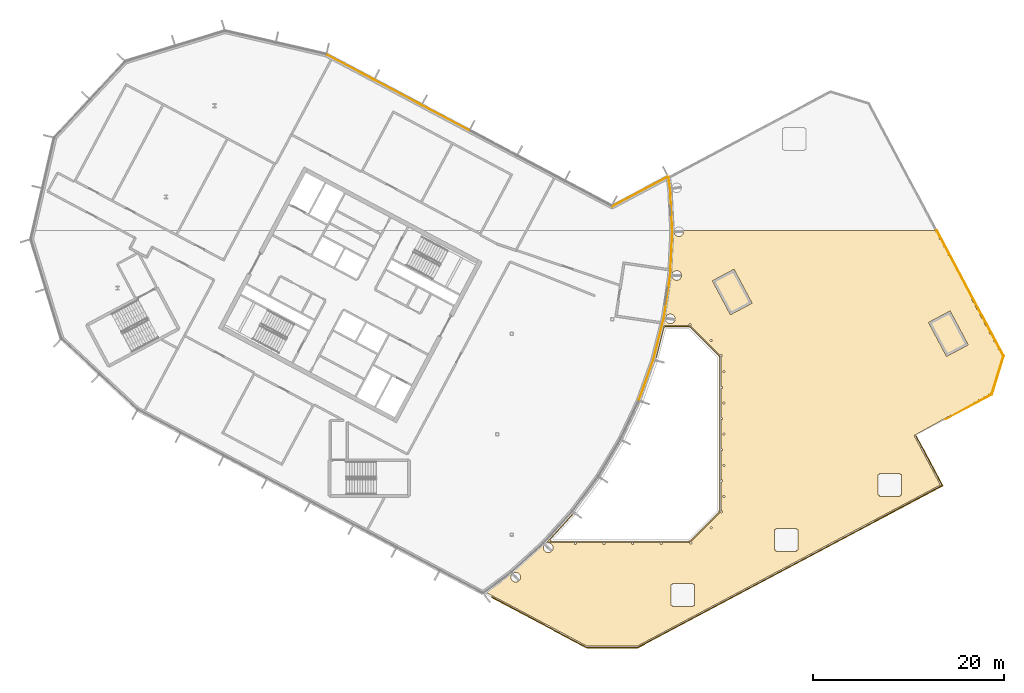
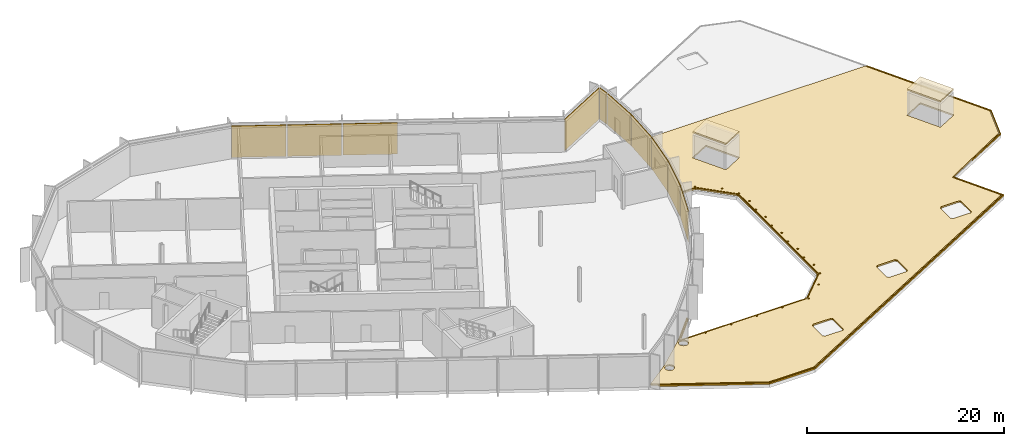
# One storey, part 15 of 16: 15 coverings, 8 elements without a shape of their own.
"""IFC4 building model written with IfcOpenShell, lengths in metres."""

from ifc_helpers import new_model, si_unit, direction, frame, origin, origin_2d, place, context, subcontext, project, spatial, polyline, rectangle, outline, extrude, material, layer, layer_set, type_object, element, aggregate, save


model = new_model("IFC4")

# Units and contexts
model_context = context("Model", 3, precision=1e-05, world=origin(), true_north=direction((0.0, 1.0)))
body_context = subcontext(model_context, "Body", "Model", "MODEL_VIEW")
ifc_project = project(units=[si_unit("LENGTHUNIT", "METRE"), si_unit("AREAUNIT", "SQUARE_METRE"), si_unit("VOLUMEUNIT", "CUBIC_METRE"), si_unit("PLANEANGLEUNIT", "RADIAN"), si_unit("MASSUNIT", "GRAM", prefix="KILO")], contexts=[model_context])

# Site, building, storey
site_placement = place(None, origin())
site = spatial("IfcSite", under=ifc_project, at=site_placement, CompositionType="ELEMENT")
building_placement = place(site_placement, origin())
building = spatial("IfcBuilding", under=site, at=building_placement, Name="Cormorant Relay Tower", CompositionType="ELEMENT")
storey_placement = place(building_placement, frame((0.0, 0.0, 328.199951171875)))
storey = spatial("IfcBuildingStorey", under=building, at=storey_placement, Name="C1", CompositionType="ELEMENT", Elevation=328.199951171875)

# Curtain wall, covering
ifc_material_1 = material(Name="Aluminium 6063-T6 anodised bronze", Category="aluminium")
ifc_layer_1 = layer(ifc_material_1, 0.199951171875)
ifc_layer_set_1 = layer_set([ifc_layer_1], Name="CW3 crown screen wall")
curtain_wall_type = type_object("IfcCurtainWallType", Name="CW3 crown screen wall", PredefinedType="NOTDEFINED", material=ifc_layer_set_1)
curtain_wall_1_placement = place(storey_placement, origin())
curtain_wall_1 = element("IfcCurtainWall", 1, at=curtain_wall_1_placement, inside=storey, type_object=curtain_wall_type, Name="CW3 curtain wall 8", PredefinedType="NOTDEFINED")
ifc_material_2 = material(Name="Perforated bronze anodised aluminium screen", Category="aluminium")
ifc_layer_2 = layer(ifc_material_2, 0.0400390625)
ifc_layer_set_2 = layer_set([ifc_layer_2], Name="CW3 perforated bronze screen panel 40")
covering_type_1 = type_object("IfcCoveringType", Name="CW3 perforated bronze screen panel 40", PredefinedType="CLADDING", material=ifc_layer_set_2)
covering_1_placement = place(storey_placement, frame((3.5576171875, 5.676513671875, 0.0), z_axis=(0.0, 0.0, 1.0), x_axis=(0.336889853392, 0.941544065183, 0.0)))
covering_1 = element("IfcCovering", 2, at=covering_1_placement, type_object=covering_type_1, Name="CW3 panel X00", PredefinedType="CLADDING", context=body_context, shape_type="SweptSolid", body=[
    extrude(rectangle(XDim=4.439208984375, YDim=0.0400390625, at=origin_2d()), origin(), (0.0, 0.0, 1.0), 3.89990234375),
])
aggregate(curtain_wall_1, [covering_1])

curtain_wall_2_placement = place(storey_placement, origin())
curtain_wall_2 = element("IfcCurtainWall", 3, at=curtain_wall_2_placement, inside=storey, type_object=curtain_wall_type, Name="CW3 curtain wall 9", PredefinedType="NOTDEFINED")
covering_2_placement = place(storey_placement, frame((4.863525390625, 9.994140625, 0.0), z_axis=(0.0, 0.0, 1.0), x_axis=(0.242980179903, 0.970031253195, 0.0)))
covering_2 = element("IfcCovering", 4, at=covering_2_placement, type_object=covering_type_1, Name="CW3 panel X00", PredefinedType="CLADDING", context=body_context, shape_type="SweptSolid", body=[
    extrude(rectangle(XDim=4.439208984375, YDim=0.0400390625, at=origin_2d()), origin(), (0.0, 0.0, 1.0), 3.89990234375),
])
aggregate(curtain_wall_2, [covering_2])

curtain_wall_3_placement = place(storey_placement, origin())
curtain_wall_3 = element("IfcCurtainWall", 5, at=curtain_wall_3_placement, inside=storey, type_object=curtain_wall_type, Name="CW3 curtain wall 10", PredefinedType="NOTDEFINED")
covering_3_placement = place(storey_placement, frame((5.739990234375, 14.4189453125, 0.0), z_axis=(0.0, 0.0, 1.0), x_axis=(0.146730474455, 0.989176509965, 0.0)))
covering_3 = element("IfcCovering", 6, at=covering_3_placement, type_object=covering_type_1, Name="CW3 panel X00", PredefinedType="CLADDING", context=body_context, shape_type="SweptSolid", body=[
    extrude(rectangle(XDim=4.439208984375, YDim=0.0400390625, at=origin_2d()), origin(), (0.0, 0.0, 1.0), 3.89990234375),
])
aggregate(curtain_wall_3, [covering_3])

curtain_wall_4_placement = place(storey_placement, origin())
curtain_wall_4 = element("IfcCurtainWall", 7, at=curtain_wall_4_placement, inside=storey, type_object=curtain_wall_type, Name="CW3 curtain wall 11", PredefinedType="NOTDEFINED")
covering_4_placement = place(storey_placement, frame((6.178466796875, 18.908203125, 0.0), z_axis=(0.0, 0.0, 1.0), x_axis=(0.049067674327, 0.998795456205, 0.0)))
covering_4 = element("IfcCovering", 8, at=covering_4_placement, type_object=covering_type_1, Name="CW3 panel X00", PredefinedType="CLADDING", context=body_context, shape_type="SweptSolid", body=[
    extrude(rectangle(XDim=4.439208984375, YDim=0.0400390625, at=origin_2d()), origin(), (0.0, 0.0, 1.0), 3.89990234375),
])
aggregate(curtain_wall_4, [covering_4])

curtain_wall_5_placement = place(storey_placement, origin())
curtain_wall_5 = element("IfcCurtainWall", 9, at=curtain_wall_5_placement, inside=storey, type_object=curtain_wall_type, Name="CW3 curtain wall 12", PredefinedType="NOTDEFINED")
covering_5_placement = place(storey_placement, frame((6.1748046875, 23.419189453125, 0.0), z_axis=(0.0, 0.0, 1.0), x_axis=(-0.049067674327, 0.998795456205, 0.0)))
covering_5 = element("IfcCovering", 10, at=covering_5_placement, type_object=covering_type_1, Name="CW3 panel X00", PredefinedType="CLADDING", context=body_context, shape_type="SweptSolid", body=[
    extrude(rectangle(XDim=4.439208984375, YDim=0.0400390625, at=origin_2d()), origin(), (0.0, 0.0, 1.0), 3.89990234375),
])
aggregate(curtain_wall_5, [covering_5])

curtain_wall_6_placement = place(storey_placement, origin())
curtain_wall_6 = element("IfcCurtainWall", 11, at=curtain_wall_6_placement, inside=storey, type_object=curtain_wall_type, Name="CW3 curtain wall 13", PredefinedType="NOTDEFINED")
covering_6_placement = place(storey_placement, frame((5.96630859375, 26.306884765625, 0.0), z_axis=(0.0, 0.0, 1.0), x_axis=(-0.146730474455, 0.989176509965, 0.0)))
covering_6 = element("IfcCovering", 12, at=covering_6_placement, type_object=covering_type_1, Name="CW3 panel X00", PredefinedType="CLADDING", context=body_context, shape_type="SweptSolid", body=[
    extrude(rectangle(XDim=1.20263671875, YDim=0.0400390625, at=origin_2d()), origin(), (0.0, 0.0, 1.0), 3.89990234375),
])
aggregate(curtain_wall_6, [covering_6])

curtain_wall_7_placement = place(storey_placement, origin())
curtain_wall_7 = element("IfcCurtainWall", 13, at=curtain_wall_7_placement, inside=storey, type_object=curtain_wall_type, Name="CW3 curtain wall 14", PredefinedType="NOTDEFINED")
covering_7_placement = place(storey_placement, frame((2.88671875, 25.341552734375, 0.0), z_axis=(0.0, 0.0, 1.0), x_axis=(-0.882947592859, -0.469471562786, 0.0)))
covering_7 = element("IfcCovering", 14, at=covering_7_placement, type_object=covering_type_1, Name="CW3 panel X00", PredefinedType="CLADDING", context=body_context, shape_type="SweptSolid", body=[
    extrude(rectangle(XDim=6.56005859375, YDim=0.0400390625, at=origin_2d()), origin(), (0.0, 0.0, 1.0), 3.89990234375),
])
aggregate(curtain_wall_7, [covering_7])

# Curtain wall, coverings
curtain_wall_8_placement = place(storey_placement, origin())
curtain_wall_8 = element("IfcCurtainWall", 15, at=curtain_wall_8_placement, inside=storey, type_object=curtain_wall_type, Name="CW3 curtain wall 15", PredefinedType="NOTDEFINED")
covering_8_placement = place(storey_placement, frame((-17.4169921875, 33.0673828125, 0.0), z_axis=(0.0, 0.0, 1.0), x_axis=(-0.882947592859, 0.469471562786, 0.0)))
covering_8 = element("IfcCovering", 16, at=covering_8_placement, type_object=covering_type_1, Name="CW3 panel X03", PredefinedType="CLADDING", context=body_context, shape_type="SweptSolid", body=[
    extrude(rectangle(XDim=5.489013671875, YDim=0.0400390625, at=origin_2d()), origin(), (0.0, 0.0, 1.0), 3.89990234375),
])
covering_9_placement = place(storey_placement, frame((-22.39599609375, 35.714599609375, 0.0), z_axis=(0.0, 0.0, 1.0), x_axis=(-0.882947592859, 0.469471562786, 0.0)))
covering_9 = element("IfcCovering", 17, at=covering_9_placement, type_object=covering_type_1, Name="CW3 panel X04", PredefinedType="CLADDING", context=body_context, shape_type="SweptSolid", body=[
    extrude(rectangle(XDim=5.489013671875, YDim=0.0400390625, at=origin_2d()), origin(), (0.0, 0.0, 1.0), 3.89990234375),
])
covering_10_placement = place(storey_placement, frame((-27.407958984375, 38.379638671875, 0.0), z_axis=(0.0, 0.0, 1.0), x_axis=(-0.882947592859, 0.469471562786, 0.0)))
covering_10 = element("IfcCovering", 18, at=covering_10_placement, type_object=covering_type_1, Name="CW3 panel X05", PredefinedType="CLADDING", context=body_context, shape_type="SweptSolid", body=[
    extrude(rectangle(XDim=5.56396484375, YDim=0.0400390625, at=origin_2d()), origin(), (0.0, 0.0, 1.0), 3.89990234375),
])
aggregate(curtain_wall_8, [covering_8, covering_9, covering_10])

# Coverings
ifc_material_3 = material(Name="Bituminous waterproof membrane on mineral wool insulation")
ifc_layer_3 = layer(ifc_material_3, 0.179931640625)
ifc_layer_set_3 = layer_set([ifc_layer_3], Name="Roof membrane and insulation 180")
covering_type_2 = type_object("IfcCoveringType", Name="Roof membrane and insulation 180", PredefinedType="ROOFING", material=ifc_layer_set_3)
covering_11_placement = place(storey_placement, frame((0.0, 0.0, 3.25)))
element("IfcCovering", 19, at=covering_11_placement, inside=storey, type_object=covering_type_2, Name="Roof membrane", PredefinedType="ROOFING", context=body_context, shape_type="SweptSolid", body=[
    extrude(outline(polyline([(14.610107421875, 13.685791015625), (12.3583984375, 12.48876953125), (10.480712890625, 16.0205078125), (12.732177734375, 17.2177734375), (14.610107421875, 13.685791015625)])), origin(), (0.0, 0.0, 1.0), 0.179931640625),
])
covering_12_placement = place(storey_placement, frame((0.0, 0.0, 3.25)))
element("IfcCovering", 20, at=covering_12_placement, inside=storey, type_object=covering_type_2, Name="Roof membrane", PredefinedType="ROOFING", context=body_context, shape_type="SweptSolid", body=[
    extrude(outline(polyline([(37.198486328125, 9.330810546875), (34.947021484375, 8.1337890625), (33.069091796875, 11.66552734375), (35.32080078125, 12.86279296875), (37.198486328125, 9.330810546875)])), origin(), (0.0, 0.0, 1.0), 0.179931640625),
])
covering_13_placement = place(storey_placement, origin())
element("IfcCovering", 21, at=covering_13_placement, inside=storey, type_object=covering_type_2, Name="Roof membrane", PredefinedType="ROOFING", context=body_context, shape_type="SweptSolid", body=[
    extrude(outline(polyline([(34.581298828125, -5.396728515625), (2.648681640625, -22.37548828125), (-2.648681640625, -22.37548828125), (-12.577392578125, -17.096435546875), (-12.60009765625, -16.982421875), (-2.639404296875, -22.27880859375), (-2.63427734375, -22.281005859375), (-2.628662109375, -22.283203125), (-2.623046875, -22.284423828125), (-2.6171875, -22.285400390625), (-2.611572265625, -22.28564453125), (2.611572265625, -22.28564453125), (2.6171875, -22.285400390625), (2.623046875, -22.284423828125), (2.628662109375, -22.283203125), (2.63427734375, -22.281005859375), (2.639404296875, -22.27880859375), (34.406982421875, -5.3876953125), (34.411865234375, -5.384765625), (34.41650390625, -5.381103515625), (34.4208984375, -5.377197265625), (34.4248046875, -5.372802734375), (34.428466796875, -5.3681640625), (34.431396484375, -5.363037109375), (34.43408203125, -5.35791015625), (34.43603515625, -5.352294921875), (34.4375, -5.346435546875), (34.438232421875, -5.3408203125), (34.438720703125, -5.334716796875), (34.438232421875, -5.328857421875), (34.4375, -5.322998046875), (34.43603515625, -5.3173828125), (34.43408203125, -5.31201171875), (34.431640625, -5.306640625), (31.712890625, -0.193359375), (31.79150390625, -0.14990234375), (34.581298828125, -5.396728515625)])), origin(), (0.0, 0.0, 1.0), 0.179931640625),
])
covering_14_placement = place(storey_placement, origin())
element("IfcCovering", 22, at=covering_14_placement, inside=storey, type_object=covering_type_2, Name="Roof membrane", PredefinedType="ROOFING", context=body_context, shape_type="SweptSolid", body=[
    extrude(outline(polyline([(33.977294921875, 21.300048828125), (40.95166015625, 8.18359375), (39.711181640625, 4.126220703125), (34.842529296875, 1.53759765625), (39.614990234375, 4.177001953125), (39.619873046875, 4.179931640625), (39.62451171875, 4.18359375), (39.628662109375, 4.1875), (39.632568359375, 4.191650390625), (39.635986328125, 4.1962890625), (39.638916015625, 4.201416015625), (39.641357421875, 4.20654296875), (39.643310546875, 4.211669921875), (40.847412109375, 8.150634765625), (40.848876953125, 8.156005859375), (40.849609375, 8.161865234375), (40.85009765625, 8.167724609375), (40.849609375, 8.173583984375), (40.848876953125, 8.179443359375), (40.847412109375, 8.185302734375), (40.845458984375, 8.190673828125), (40.843017578125, 8.19580078125), (33.87548828125, 21.300048828125), (33.977294921875, 21.300048828125)])), origin(), (0.0, 0.0, 1.0), 0.179931640625),
])
covering_15_placement = place(storey_placement, origin())
element("IfcCovering", 23, at=covering_15_placement, inside=storey, type_object=covering_type_2, Name="Roof membrane", PredefinedType="ROOFING", context=body_context, shape_type="SweptSolid", body=[
    extrude(outline(polyline([(33.739501953125, 21.300048828125), (40.725341796875, 8.16162109375), (39.53564453125, 4.270263671875), (31.602783203125, -0.116943359375), (31.59814453125, -0.119873046875), (31.593505859375, -0.12353515625), (31.58935546875, -0.12744140625), (31.58544921875, -0.1318359375), (31.58203125, -0.136474609375), (31.5791015625, -0.1416015625), (31.57666015625, -0.146728515625), (31.57470703125, -0.15234375), (31.5732421875, -0.157958984375), (31.572509765625, -0.163818359375), (31.572265625, -0.169677734375), (31.572509765625, -0.17529296875), (31.573486328125, -0.18115234375), (31.57470703125, -0.186767578125), (31.57666015625, -0.1923828125), (31.5791015625, -0.197509765625), (34.297607421875, -5.309814453125), (2.596435546875, -22.16552734375), (-2.596435546875, -22.16552734375), (-13.085205078125, -16.588623046875), (-13.187744140625, -16.450439453125), (-10.5126953125, -14.466552734375), (-10.54248046875, -14.42626953125), (-10.501708984375, -14.389404296875), (-10.46875, -14.425537109375), (-7.164794921875, -11.430908203125), (-7.1982421875, -11.39404296875), (-7.161376953125, -11.353271484375), (-7.125, -11.385986328125), (-4.20361328125, -8.162841796875), (-4.200927734375, -8.166748046875), (-4.165283203125, -8.190673828125), (-4.123046875, -8.19921875), (-4.0966796875, -8.19384765625), (-6.8681640625, -11.251708984375), (-6.82470703125, -11.291015625), (-6.82470703125, -11.333740234375), (-6.844482421875, -11.329833984375), (-6.88671875, -11.338134765625), (-6.92236328125, -11.362060546875), (-6.9462890625, -11.397705078125), (-6.95458984375, -11.43994140625), (-6.953369140625, -11.447021484375), (-7.0478515625, -11.510009765625), (-7.158447265625, -11.675537109375), (-7.197265625, -11.870849609375), (-7.158447265625, -12.06591796875), (-7.0478515625, -12.231689453125), (-6.88232421875, -12.34228515625), (-6.68701171875, -12.381103515625), (-6.491943359375, -12.34228515625), (-6.326416015625, -12.231689453125), (-6.2158203125, -12.06591796875), (-6.177001953125, -11.870849609375), (-6.2158203125, -11.675537109375), (-6.326416015625, -11.510009765625), (-6.491943359375, -11.3994140625), (-6.68701171875, -11.360595703125), (-6.758056640625, -11.374755859375), (-6.7666015625, -11.362060546875), (-6.78466796875, -11.35009765625), (-3.91064453125, -11.35009765625), (-3.9287109375, -11.362060546875), (-3.95263671875, -11.397705078125), (-3.9609375, -11.43994140625), (-3.95263671875, -11.482177734375), (-3.9287109375, -11.517822265625), (-3.89306640625, -11.541748046875), (-3.850830078125, -11.55029296875), (-3.80859375, -11.541748046875), (-3.77294921875, -11.517822265625), (-3.7490234375, -11.482177734375), (-3.740478515625, -11.43994140625), (-3.7490234375, -11.397705078125), (-3.77294921875, -11.362060546875), (-3.791015625, -11.35009765625), (-0.916748046875, -11.35009765625), (-0.934814453125, -11.362060546875), (-0.958740234375, -11.397705078125), (-0.96728515625, -11.43994140625), (-0.958740234375, -11.482177734375), (-0.934814453125, -11.517822265625), (-0.899169921875, -11.541748046875), (-0.85693359375, -11.55029296875), (-0.814697265625, -11.541748046875), (-0.779052734375, -11.517822265625), (-0.755126953125, -11.482177734375), (-0.746826171875, -11.43994140625), (-0.755126953125, -11.397705078125), (-0.779052734375, -11.362060546875), (-0.797119140625, -11.35009765625), (2.076904296875, -11.35009765625), (2.058837890625, -11.362060546875), (2.034912109375, -11.397705078125), (2.026611328125, -11.43994140625), (2.034912109375, -11.482177734375), (2.058837890625, -11.517822265625), (2.094482421875, -11.541748046875), (2.13671875, -11.55029296875), (2.178955078125, -11.541748046875), (2.214599609375, -11.517822265625), (2.238525390625, -11.482177734375), (2.246826171875, -11.43994140625), (2.238525390625, -11.397705078125), (2.214599609375, -11.362060546875), (2.196533203125, -11.35009765625), (5.07080078125, -11.35009765625), (5.052490234375, -11.362060546875), (5.02880859375, -11.397705078125), (5.020263671875, -11.43994140625), (5.02880859375, -11.482177734375), (5.052490234375, -11.517822265625), (5.08837890625, -11.541748046875), (5.130615234375, -11.55029296875), (5.172607421875, -11.541748046875), (5.20849609375, -11.517822265625), (5.232421875, -11.482177734375), (5.24072265625, -11.43994140625), (5.232421875, -11.397705078125), (5.20849609375, -11.362060546875), (5.190185546875, -11.35009765625), (8.104248046875, -11.35009765625), (8.104248046875, -11.2900390625), (5.150390625, -11.2900390625), (5.150390625, -11.333740234375), (5.130615234375, -11.329833984375), (5.110595703125, -11.333740234375), (5.110595703125, -11.2900390625), (2.15673828125, -11.2900390625), (2.15673828125, -11.333740234375), (2.13671875, -11.329833984375), (2.11669921875, -11.333740234375), (2.11669921875, -11.2900390625), (-0.8369140625, -11.2900390625), (-0.8369140625, -11.333740234375), (-0.85693359375, -11.329833984375), (-0.876953125, -11.333740234375), (-0.876953125, -11.2900390625), (-3.830810546875, -11.2900390625), (-3.830810546875, -11.333740234375), (-3.850830078125, -11.329833984375), (-3.870849609375, -11.333740234375), (-3.870849609375, -11.2900390625), (-6.822021484375, -11.2900390625), (-4.059326171875, -8.24169921875), (-4.083251953125, -8.277587890625), (-4.111083984375, -8.418212890625), (-6.481689453125, -11.033447265625), (-6.4033203125, -11.1044921875), (-6.4033203125, -11.2099609375), (8.051513671875, -11.2099609375), (8.051513671875, -11.1240234375), (8.112060546875, -11.184814453125), (11.184814453125, -8.112060546875), (11.1240234375, -8.051513671875), (11.2099609375, -8.051513671875), (11.2099609375, 8.051513671875), (11.1240234375, 8.051513671875), (11.184814453125, 8.112060546875), (8.112060546875, 11.184814453125), (8.051513671875, 11.1240234375), (8.051513671875, 11.2099609375), (5.522216796875, 11.2099609375), (5.522216796875, 11.11279296875), (5.427978515625, 11.136474609375), (4.63916015625, 7.98681640625), (4.604736328125, 7.9638671875), (4.518310546875, 7.83447265625), (5.381103515625, 11.2783203125), (5.340087890625, 11.28857421875), (5.34228515625, 11.291748046875), (5.3505859375, 11.333984375), (5.34228515625, 11.376220703125), (5.318359375, 11.411865234375), (5.28271484375, 11.435791015625), (5.2568359375, 11.44091796875), (5.434326171875, 12.149658203125), (5.385986328125, 12.16162109375), (5.39404296875, 12.21630859375), (5.4423828125, 12.208984375), (6.0966796875, 16.6201171875), (6.04736328125, 16.627197265625), (6.050048828125, 16.682373046875), (6.09912109375, 16.679931640625), (6.31787109375, 21.1337890625), (6.267822265625, 21.13623046875), (6.26513671875, 21.19140625), (6.314208984375, 21.193603515625), (6.308837890625, 21.300048828125), (6.48388671875, 21.300048828125), (6.456298828125, 21.16064453125), (6.4951171875, 20.96533203125), (6.605712890625, 20.7998046875), (6.771240234375, 20.689208984375), (6.966552734375, 20.650390625), (7.16162109375, 20.689208984375), (7.327392578125, 20.7998046875), (7.43798828125, 20.96533203125), (7.476806640625, 21.16064453125), (7.448974609375, 21.300048828125), (33.739501953125, 21.300048828125)]), holes=[polyline([(33.182373046875, 11.431396484375), (33.182373046875, 11.431396484375), (34.82568359375, 8.3408203125), (34.82568359375, 8.3408203125), (34.94287109375, 8.1201171875), (37.212158203125, 9.326904296875), (37.08544921875, 9.565185546875), (37.08544921875, 9.565185546875), (35.45166015625, 12.6376953125), (35.45166015625, 12.6376953125), (35.32470703125, 12.876220703125), (33.0556640625, 11.669677734375), (33.182373046875, 11.431396484375)]), polyline([(30.096923828125, -6.510009765625), (30.096923828125, -6.385009765625), (30.221923828125, -6.385009765625), (30.221923828125, -4.215087890625), (30.096923828125, -4.215087890625), (30.096923828125, -4.090087890625), (27.927001953125, -4.090087890625), (27.927001953125, -4.215087890625), (27.802001953125, -4.215087890625), (27.802001953125, -6.385009765625), (27.927001953125, -6.385009765625), (27.927001953125, -6.510009765625), (30.096923828125, -6.510009765625)]), polyline([(16.9873046875, -12.13525390625), (17.1123046875, -12.13525390625), (17.1123046875, -12.26025390625), (19.282470703125, -12.26025390625), (19.282470703125, -12.13525390625), (19.407470703125, -12.13525390625), (19.407470703125, -9.96533203125), (19.282470703125, -9.96533203125), (19.282470703125, -9.84033203125), (17.1123046875, -9.84033203125), (17.1123046875, -9.96533203125), (16.9873046875, -9.96533203125), (16.9873046875, -12.13525390625)]), polyline([(10.58447265625, 15.803955078125), (12.237060546875, 12.696044921875), (12.237060546875, 12.696044921875), (12.354248046875, 12.475341796875), (14.62353515625, 13.681884765625), (14.50146484375, 13.911376953125), (12.863037109375, 16.992919921875), (12.863037109375, 16.992919921875), (12.736083984375, 17.231201171875), (10.467041015625, 16.024658203125), (10.58447265625, 15.803955078125), (10.58447265625, 15.803955078125)]), polyline([(11.627685546875, -6.62744140625), (11.669921875, -6.635986328125), (11.712158203125, -6.62744140625), (11.747802734375, -6.603515625), (11.771728515625, -6.56787109375), (11.7802734375, -6.525634765625), (11.771728515625, -6.4833984375), (11.747802734375, -6.44775390625), (11.712158203125, -6.423828125), (11.669921875, -6.41552734375), (11.627685546875, -6.423828125), (11.592041015625, -6.44775390625), (11.568115234375, -6.4833984375), (11.559814453125, -6.525634765625), (11.568115234375, -6.56787109375), (11.592041015625, -6.603515625), (11.627685546875, -6.62744140625)]), polyline([(11.592041015625, 6.44775390625), (11.627685546875, 6.423828125), (11.669921875, 6.41552734375), (11.712158203125, 6.423828125), (11.747802734375, 6.44775390625), (11.771728515625, 6.4833984375), (11.7802734375, 6.525634765625), (11.771728515625, 6.56787109375), (11.747802734375, 6.603515625), (11.712158203125, 6.62744140625), (11.669921875, 6.635986328125), (11.627685546875, 6.62744140625), (11.592041015625, 6.603515625), (11.568115234375, 6.56787109375), (11.559814453125, 6.525634765625), (11.568115234375, 6.4833984375), (11.592041015625, 6.44775390625)]), polyline([(11.627685546875, -3.36474609375), (11.669921875, -3.373046875), (11.712158203125, -3.36474609375), (11.747802734375, -3.3408203125), (11.771728515625, -3.30517578125), (11.7802734375, -3.262939453125), (11.771728515625, -3.220703125), (11.747802734375, -3.18505859375), (11.712158203125, -3.1611328125), (11.669921875, -3.152587890625), (11.627685546875, -3.1611328125), (11.592041015625, -3.18505859375), (11.568115234375, -3.220703125), (11.559814453125, -3.262939453125), (11.568115234375, -3.30517578125), (11.592041015625, -3.3408203125), (11.627685546875, -3.36474609375)]), polyline([(11.592041015625, 3.18505859375), (11.627685546875, 3.1611328125), (11.669921875, 3.152587890625), (11.712158203125, 3.1611328125), (11.747802734375, 3.18505859375), (11.771728515625, 3.220703125), (11.7802734375, 3.262939453125), (11.771728515625, 3.30517578125), (11.747802734375, 3.3408203125), (11.712158203125, 3.36474609375), (11.669921875, 3.373046875), (11.627685546875, 3.36474609375), (11.592041015625, 3.3408203125), (11.568115234375, 3.30517578125), (11.559814453125, 3.262939453125), (11.568115234375, 3.220703125), (11.592041015625, 3.18505859375)]), polyline([(11.592041015625, -0.077880859375), (11.627685546875, -0.101806640625), (11.669921875, -0.110107421875), (11.712158203125, -0.101806640625), (11.747802734375, -0.077880859375), (11.771728515625, -0.042236328125), (11.7802734375, 0.0), (11.771728515625, 0.042236328125), (11.747802734375, 0.077880859375), (11.712158203125, 0.101806640625), (11.669921875, 0.110107421875), (11.627685546875, 0.101806640625), (11.592041015625, 0.077880859375), (11.568115234375, 0.042236328125), (11.559814453125, 0.0), (11.568115234375, -0.042236328125), (11.592041015625, -0.077880859375)]), polyline([(11.2900390625, -4.8544921875), (11.333740234375, -4.8544921875), (11.329833984375, -4.87451171875), (11.333740234375, -4.89453125), (11.2900390625, -4.89453125), (11.2900390625, -8.104248046875), (11.333740234375, -8.104248046875), (11.329833984375, -8.124267578125), (11.338134765625, -8.16650390625), (11.362060546875, -8.2021484375), (11.397705078125, -8.22607421875), (11.43994140625, -8.234619140625), (11.482177734375, -8.22607421875), (11.517822265625, -8.2021484375), (11.541748046875, -8.16650390625), (11.55029296875, -8.124267578125), (11.541748046875, -8.08203125), (11.517822265625, -8.04638671875), (11.482177734375, -8.0224609375), (11.43994140625, -8.01416015625), (11.397705078125, -8.0224609375), (11.362060546875, -8.04638671875), (11.35009765625, -8.064453125), (11.35009765625, -4.934326171875), (11.362060546875, -4.952392578125), (11.397705078125, -4.976318359375), (11.43994140625, -4.98486328125), (11.482177734375, -4.976318359375), (11.517822265625, -4.952392578125), (11.541748046875, -4.916748046875), (11.55029296875, -4.87451171875), (11.541748046875, -4.83251953125), (11.517822265625, -4.796630859375), (11.482177734375, -4.772705078125), (11.43994140625, -4.764404296875), (11.397705078125, -4.772705078125), (11.362060546875, -4.796630859375), (11.35009765625, -4.814697265625), (11.35009765625, -1.684814453125), (11.362060546875, -1.702880859375), (11.397705078125, -1.726806640625), (11.43994140625, -1.735107421875), (11.482177734375, -1.726806640625), (11.517822265625, -1.702880859375), (11.541748046875, -1.6669921875), (11.55029296875, -1.625), (11.541748046875, -1.582763671875), (11.517822265625, -1.547119140625), (11.482177734375, -1.523193359375), (11.43994140625, -1.5146484375), (11.397705078125, -1.523193359375), (11.362060546875, -1.547119140625), (11.35009765625, -1.565185546875), (11.35009765625, 1.565185546875), (11.362060546875, 1.547119140625), (11.397705078125, 1.523193359375), (11.43994140625, 1.5146484375), (11.482177734375, 1.523193359375), (11.517822265625, 1.547119140625), (11.541748046875, 1.582763671875), (11.55029296875, 1.625), (11.541748046875, 1.6669921875), (11.517822265625, 1.702880859375), (11.482177734375, 1.726806640625), (11.43994140625, 1.735107421875), (11.397705078125, 1.726806640625), (11.362060546875, 1.702880859375), (11.35009765625, 1.684814453125), (11.35009765625, 4.814697265625), (11.362060546875, 4.796630859375), (11.397705078125, 4.772705078125), (11.43994140625, 4.764404296875), (11.482177734375, 4.772705078125), (11.517822265625, 4.796630859375), (11.541748046875, 4.83251953125), (11.55029296875, 4.87451171875), (11.541748046875, 4.916748046875), (11.517822265625, 4.952392578125), (11.482177734375, 4.976318359375), (11.43994140625, 4.98486328125), (11.397705078125, 4.976318359375), (11.362060546875, 4.952392578125), (11.35009765625, 4.934326171875), (11.35009765625, 8.104248046875), (11.2900390625, 8.104248046875), (11.2900390625, 4.89453125), (11.333740234375, 4.89453125), (11.329833984375, 4.87451171875), (11.333740234375, 4.8544921875), (11.2900390625, 4.8544921875), (11.2900390625, 1.644775390625), (11.333740234375, 1.644775390625), (11.329833984375, 1.625), (11.333740234375, 1.60498046875), (11.2900390625, 1.60498046875), (11.2900390625, -1.60498046875), (11.333740234375, -1.60498046875), (11.329833984375, -1.625), (11.333740234375, -1.644775390625), (11.2900390625, -1.644775390625), (11.2900390625, -4.8544921875)]), polyline([(8.13134765625, 11.27880859375), (11.27880859375, 8.13134765625), (11.309814453125, 8.162353515625), (11.321044921875, 8.1455078125), (11.356689453125, 8.12158203125), (11.39892578125, 8.113037109375), (11.441162109375, 8.12158203125), (11.476806640625, 8.1455078125), (11.500732421875, 8.18115234375), (11.50927734375, 8.223388671875), (11.500732421875, 8.265380859375), (11.476806640625, 8.30126953125), (11.441162109375, 8.3251953125), (11.39892578125, 8.33349609375), (11.356689453125, 8.3251953125), (11.321044921875, 8.30126953125), (11.297119140625, 8.265380859375), (11.288818359375, 8.223388671875), (11.29296875, 8.201904296875), (8.173828125, 11.3212890625), (8.13134765625, 11.27880859375)]), polyline([(8.18115234375, -11.500732421875), (8.223388671875, -11.50927734375), (8.265380859375, -11.500732421875), (8.30126953125, -11.476806640625), (8.3251953125, -11.441162109375), (8.33349609375, -11.39892578125), (8.3251953125, -11.356689453125), (8.30126953125, -11.321044921875), (8.265380859375, -11.297119140625), (8.223388671875, -11.288818359375), (8.201904296875, -11.29296875), (11.3212890625, -8.173828125), (11.27880859375, -8.13134765625), (8.13134765625, -11.27880859375), (8.162353515625, -11.309814453125), (8.1455078125, -11.321044921875), (8.12158203125, -11.356689453125), (8.113037109375, -11.39892578125), (8.12158203125, -11.441162109375), (8.1455078125, -11.476806640625), (8.18115234375, -11.500732421875)]), polyline([(10.2734375, -9.866455078125), (10.30908203125, -9.890380859375), (10.351318359375, -9.898681640625), (10.3935546875, -9.890380859375), (10.42919921875, -9.866455078125), (10.453125, -9.830810546875), (10.461669921875, -9.78857421875), (10.453125, -9.746337890625), (10.42919921875, -9.710693359375), (10.3935546875, -9.686767578125), (10.351318359375, -9.678466796875), (10.30908203125, -9.686767578125), (10.2734375, -9.710693359375), (10.24951171875, -9.746337890625), (10.2412109375, -9.78857421875), (10.24951171875, -9.830810546875), (10.2734375, -9.866455078125)]), polyline([(10.2734375, 9.710693359375), (10.30908203125, 9.686767578125), (10.351318359375, 9.678466796875), (10.3935546875, 9.686767578125), (10.42919921875, 9.710693359375), (10.453125, 9.746337890625), (10.461669921875, 9.78857421875), (10.453125, 9.830810546875), (10.42919921875, 9.866455078125), (10.3935546875, 9.890380859375), (10.351318359375, 9.898681640625), (10.30908203125, 9.890380859375), (10.2734375, 9.866455078125), (10.24951171875, 9.830810546875), (10.2412109375, 9.78857421875), (10.24951171875, 9.746337890625), (10.2734375, 9.710693359375)]), polyline([(8.468017578125, -15.590576171875), (6.2978515625, -15.590576171875), (6.2978515625, -15.715576171875), (6.1728515625, -15.715576171875), (6.1728515625, -17.885498046875), (6.2978515625, -17.885498046875), (6.2978515625, -18.010498046875), (8.468017578125, -18.010498046875), (8.468017578125, -17.885498046875), (8.593017578125, -17.885498046875), (8.593017578125, -15.715576171875), (8.468017578125, -15.715576171875), (8.468017578125, -15.590576171875)]), polyline([(5.396240234375, 11.2900390625), (8.104248046875, 11.2900390625), (8.104248046875, 11.333740234375), (8.124267578125, 11.329833984375), (8.16650390625, 11.338134765625), (8.2021484375, 11.362060546875), (8.22607421875, 11.397705078125), (8.234619140625, 11.43994140625), (8.22607421875, 11.482177734375), (8.2021484375, 11.517822265625), (8.16650390625, 11.541748046875), (8.124267578125, 11.55029296875), (8.08203125, 11.541748046875), (8.04638671875, 11.517822265625), (8.0224609375, 11.482177734375), (8.01416015625, 11.43994140625), (8.0224609375, 11.397705078125), (8.04638671875, 11.362060546875), (8.064453125, 11.35009765625), (5.396240234375, 11.35009765625), (5.396240234375, 11.2900390625)]), polyline([(6.5498046875, 16.11181640625), (6.7451171875, 16.072998046875), (6.940185546875, 16.11181640625), (7.105712890625, 16.222412109375), (7.21630859375, 16.387939453125), (7.255126953125, 16.5830078125), (7.21630859375, 16.7783203125), (7.105712890625, 16.94384765625), (6.940185546875, 17.054443359375), (6.7451171875, 17.09326171875), (6.5498046875, 17.054443359375), (6.38427734375, 16.94384765625), (6.273681640625, 16.7783203125), (6.23486328125, 16.5830078125), (6.273681640625, 16.387939453125), (6.38427734375, 16.222412109375), (6.5498046875, 16.11181640625)]), polyline([(5.715087890625, 11.688720703125), (5.880615234375, 11.577880859375), (6.075927734375, 11.539306640625), (6.27099609375, 11.577880859375), (6.436767578125, 11.688720703125), (6.54736328125, 11.854248046875), (6.586181640625, 12.04931640625), (6.54736328125, 12.24462890625), (6.436767578125, 12.41015625), (6.27099609375, 12.520751953125), (6.075927734375, 12.5595703125), (5.880615234375, 12.520751953125), (5.715087890625, 12.41015625), (5.6044921875, 12.24462890625), (5.565673828125, 12.04931640625), (5.6044921875, 11.854248046875), (5.715087890625, 11.688720703125)]), polyline([(-10.44140625, -15.311767578125), (-10.275634765625, -15.42236328125), (-10.08056640625, -15.461181640625), (-9.88525390625, -15.42236328125), (-9.7197265625, -15.311767578125), (-9.609130859375, -15.14599609375), (-9.5703125, -14.950927734375), (-9.609130859375, -14.755615234375), (-9.7197265625, -14.590087890625), (-9.88525390625, -14.4794921875), (-10.08056640625, -14.440673828125), (-10.275634765625, -14.4794921875), (-10.44140625, -14.590087890625), (-10.552001953125, -14.755615234375), (-10.5908203125, -14.950927734375), (-10.552001953125, -15.14599609375), (-10.44140625, -15.311767578125)])]), origin(), (0.0, 0.0, 1.0), 0.179931640625),
])

save(model, "model.ifc")
